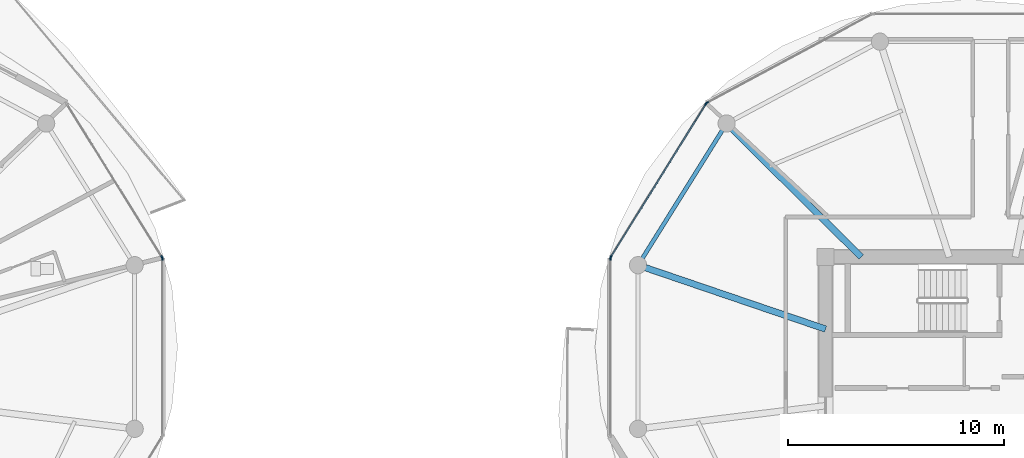
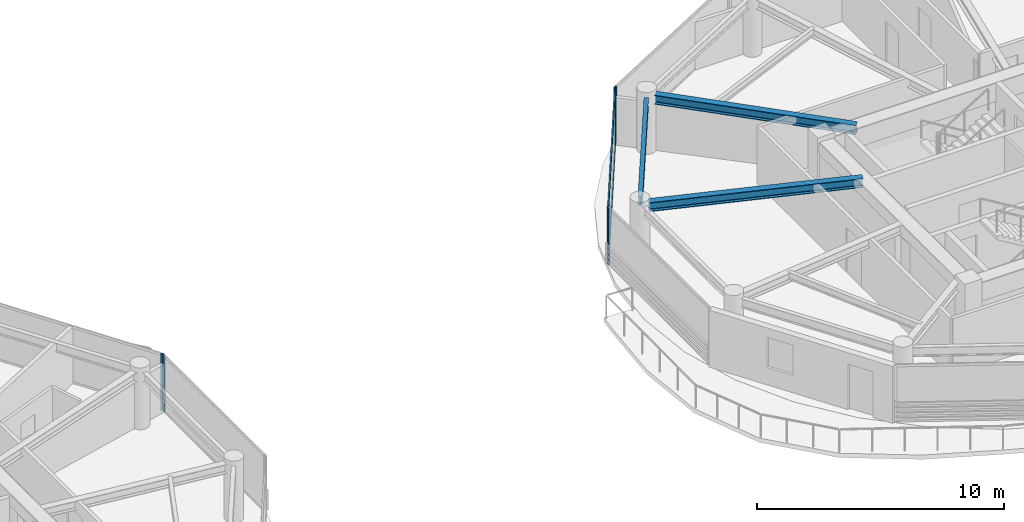
# One storey, part 7 of 21: 8 members, 3 beams, 5 elements without a shape of their own.
"""IFC4 building model written with IfcOpenShell, lengths in metres."""

from ifc_helpers import new_model, si_unit, direction, frame, origin, origin_2d, place, context, subcontext, project, spatial, rectangle, i_section, extrude, source, transform, mapped, material, layer, layer_set, material_profile, profile_set, type_object, type_shapes, element, aggregate, save


model = new_model("IFC4")

# Units and contexts
model_context = context("Model", 3, precision=1e-05, world=origin(), true_north=direction((0.0, 1.0)))
body_context = subcontext(model_context, "Body", "Model", "MODEL_VIEW")
ifc_project = project(units=[si_unit("LENGTHUNIT", "METRE"), si_unit("AREAUNIT", "SQUARE_METRE"), si_unit("VOLUMEUNIT", "CUBIC_METRE"), si_unit("PLANEANGLEUNIT", "RADIAN"), si_unit("MASSUNIT", "GRAM", prefix="KILO")], contexts=[model_context])

# Site, building, storey
site_placement = place(None, origin())
site = spatial("IfcSite", under=ifc_project, at=site_placement, CompositionType="ELEMENT")
building_placement = place(site_placement, origin())
building = spatial("IfcBuilding", under=site, at=building_placement, Name="Norrkilde Senior Care Towers", CompositionType="ELEMENT")
storey_placement = place(building_placement, frame((0.0, 0.0, 146.5)))
storey = spatial("IfcBuildingStorey", under=building, at=storey_placement, Name="L45", CompositionType="ELEMENT", Elevation=146.5)

# Beams
ifc_material_1 = material(Name="Steel S355", Category="steel")
ifc_material_profile_1 = material_profile(ifc_material_1, i_section(OverallWidth=0.18994140625, OverallDepth=0.449951171875, WebThickness=0.009521484375, FlangeThickness=0.0146484375, FilletRadius=0.02099609375, at=origin_2d()), Name="IPE 450")
ifc_profile_set_1 = profile_set([ifc_material_profile_1], Name="Steel S355")
beam_type_1 = type_object("IfcBeamType", Name="Perimeter Ring Spandrel Z3 IPE450", PredefinedType="SPANDREL", material=ifc_profile_set_1)
shared_shape_1 = source(origin(), body_context, "Body", "SweptSolid", [
    extrude(i_section(OverallWidth=0.18994140625, OverallDepth=0.449951171875, WebThickness=0.009521484375, FlangeThickness=0.0146484375, FilletRadius=0.02099609375, at=origin_2d()), origin(), (0.0, 0.0, 1.0), 7.0234375),
])
type_shapes(beam_type_1, [shared_shape_1])
beam_1_placement = place(storey_placement, frame((15.57666015625, 11.8291015625, 2.5849609375), z_axis=(-0.529789577822, -0.848129119433, 0.0), x_axis=(0.848129119433, -0.529789577822, 0.0)))
element("IfcBeam", 1, at=beam_1_placement, inside=storey, type_object=beam_type_1, Name="L45 Drum E Perimeter Spandrel 05", PredefinedType="SPANDREL", context=body_context, shape_type="MappedRepresentation", body=[
    mapped(shared_shape_1, transform((0.0, 0.0, 0.0), x_axis=(1.0, 0.0, 0.0), y_axis=(0.0, 1.0, 0.0), z_axis=(0.0, 0.0, 1.0), scale=1.0)),
])
ifc_material_profile_2 = material_profile(ifc_material_1, i_section(OverallWidth=0.300048828125, OverallDepth=0.449951171875, WebThickness=0.013916015625, FlangeThickness=0.02587890625, FilletRadius=0.027099609375, at=origin_2d()), Name="HEB 450")
ifc_profile_set_2 = profile_set([ifc_material_profile_2], Name="Steel S355")
beam_type_2 = type_object("IfcBeamType", Name="Radial Floor Beam Z3 HEB450", PredefinedType="BEAM", material=ifc_profile_set_2)
shared_shape_2 = source(origin(), body_context, "Body", "SweptSolid", [
    extrude(i_section(OverallWidth=0.300048828125, OverallDepth=0.449951171875, WebThickness=0.013916015625, FlangeThickness=0.02587890625, FilletRadius=0.027099609375, at=origin_2d()), origin(), (0.0, 0.0, 1.0), 8.8154296875),
])
beam_2_placement = place(storey_placement, frame((20.35009765625, 2.607177734375, 2.5849609375), z_axis=(-0.946540556878, 0.322584832539, 0.0), x_axis=(-0.322584832539, -0.946540556878, 0.0)))
element("IfcBeam", 2, at=beam_2_placement, inside=storey, type_object=beam_type_2, Name="L45 Drum E Radial Floor Beam 06", PredefinedType="BEAM", context=body_context, shape_type="MappedRepresentation", body=[
    mapped(shared_shape_2, transform((0.0, 0.0, 0.0), x_axis=(1.0, 0.0, 0.0), y_axis=(0.0, 1.0, 0.0), z_axis=(0.0, 0.0, 1.0), scale=1.0)),
])
shared_shape_3 = source(origin(), body_context, "Body", "SweptSolid", [
    extrude(i_section(OverallWidth=0.300048828125, OverallDepth=0.449951171875, WebThickness=0.013916015625, FlangeThickness=0.02587890625, FilletRadius=0.027099609375, at=origin_2d()), origin(), (0.0, 0.0, 1.0), 8.421630859375),
])
type_shapes(beam_type_2, [shared_shape_2, shared_shape_3])
beam_3_placement = place(storey_placement, frame((22.001953125, 5.949951171875, 2.5849609375), z_axis=(-0.709956495972, 0.704245535184, 0.0), x_axis=(-0.704245535184, -0.709956495972, 0.0)))
element("IfcBeam", 3, at=beam_3_placement, inside=storey, type_object=beam_type_2, Name="L45 Drum E Radial Floor Beam 05", PredefinedType="BEAM", context=body_context, shape_type="MappedRepresentation", body=[
    mapped(shared_shape_3, transform((0.0, 0.0, 0.0), x_axis=(1.0, 0.0, 0.0), y_axis=(0.0, 1.0, 0.0), z_axis=(0.0, 0.0, 1.0), scale=1.0)),
])

# Curtain wall, member
ifc_material_2 = material(Name="Triple Low-E Insulated Glazing", Category="glass")
ifc_layer = layer(ifc_material_2, 0.18994140625)
ifc_layer_set = layer_set([ifc_layer], Name="Triple Low-E Insulated Glazing")
curtain_wall_type = type_object("IfcCurtainWallType", Name="CW4 Zone 3 Senior Residence Curtain Wall", PredefinedType="NOTDEFINED", material=ifc_layer_set)
curtain_wall_1_placement = place(storey_placement, origin())
curtain_wall_1 = element("IfcCurtainWall", 4, at=curtain_wall_1_placement, inside=storey, type_object=curtain_wall_type, Name="L45 Drum W Curtain Wall 00", PredefinedType="NOTDEFINED")
ifc_material_3 = material(Name="Anodised Aluminium", Category="aluminium")
ifc_material_profile_3 = material_profile(ifc_material_3, rectangle(XDim=0.06494140625, YDim=0.14990234375, at=origin_2d()), Name="ALU MULL 65x150")
ifc_profile_set_3 = profile_set([ifc_material_profile_3], Name="Anodised Aluminium")
member_type_1 = type_object("IfcMemberType", Name="Curtain Wall Mullion Z3-Z4 65x150", PredefinedType="MULLION", material=ifc_profile_set_3)
shared_shape_4 = source(origin(), body_context, "Body", "SweptSolid", [
    extrude(rectangle(XDim=0.06494140625, YDim=0.14990234375, at=origin_2d()), origin(), (0.0, 0.0, 1.0), 2.81005859375),
])
type_shapes(member_type_1, [shared_shape_4])
member_1_placement = place(storey_placement, frame((-10.3974609375, 5.93896484375, 0.0), z_axis=(0.0, 0.0, 1.0), x_axis=(0.84963405474, 0.52737270789, 0.0)))
member_1 = element("IfcMember", 5, at=member_1_placement, type_object=member_type_1, Name="CW-4 mullion 2", PredefinedType="MULLION", context=body_context, shape_type="MappedRepresentation", body=[
    mapped(shared_shape_4, transform((0.0, 0.0, 0.0), x_axis=(1.0, 0.0, 0.0), y_axis=(0.0, 1.0, 0.0), z_axis=(0.0, 0.0, 1.0), scale=1.0)),
])
aggregate(curtain_wall_1, [member_1])

curtain_wall_2_placement = place(storey_placement, origin())
curtain_wall_2 = element("IfcCurtainWall", 6, at=curtain_wall_2_placement, inside=storey, type_object=curtain_wall_type, Name="L45 Drum W Curtain Wall 11", PredefinedType="NOTDEFINED")
member_2_placement = place(storey_placement, frame((-10.38037109375, 5.878662109375, 0.0), z_axis=(0.0, 0.0, 1.0), x_axis=(1.0, 0.0, 0.0)))
member_2 = element("IfcMember", 7, at=member_2_placement, type_object=member_type_1, Name="CW-4 mullion 1", PredefinedType="MULLION", context=body_context, shape_type="MappedRepresentation", body=[
    mapped(shared_shape_4, transform((0.0, 0.0, 0.0), x_axis=(1.0, 0.0, 0.0), y_axis=(0.0, 1.0, 0.0), z_axis=(0.0, 0.0, 1.0), scale=1.0)),
])
aggregate(curtain_wall_2, [member_2])

curtain_wall_3_placement = place(storey_placement, origin())
curtain_wall_3 = element("IfcCurtainWall", 8, at=curtain_wall_3_placement, inside=storey, type_object=curtain_wall_type, Name="L45 Drum E Curtain Wall 03", PredefinedType="NOTDEFINED")
member_3_placement = place(storey_placement, frame((14.85546875, 13.09033203125, 0.0), z_axis=(0.0, 0.0, 1.0), x_axis=(-0.47311715104, 0.880999524059, 0.0)))
member_3 = element("IfcMember", 9, at=member_3_placement, type_object=member_type_1, Name="CW-4 mullion 1", PredefinedType="MULLION", context=body_context, shape_type="MappedRepresentation", body=[
    mapped(shared_shape_4, transform((0.0, 0.0, 0.0), x_axis=(1.0, 0.0, 0.0), y_axis=(0.0, 1.0, 0.0), z_axis=(0.0, 0.0, 1.0), scale=1.0)),
])
aggregate(curtain_wall_3, [member_3])

# Curtain wall, members
curtain_wall_4_placement = place(storey_placement, origin())
curtain_wall_4 = element("IfcCurtainWall", 10, at=curtain_wall_4_placement, inside=storey, type_object=curtain_wall_type, Name="L45 Drum E Curtain Wall 04", PredefinedType="NOTDEFINED")
member_4_placement = place(storey_placement, frame((10.3974609375, 5.93896484375, 0.0), z_axis=(0.0, 0.0, 1.0), x_axis=(-0.84963405474, 0.52737270789, 0.0)))
member_4 = element("IfcMember", 11, at=member_4_placement, type_object=member_type_1, Name="CW-4 mullion 1", PredefinedType="MULLION", context=body_context, shape_type="MappedRepresentation", body=[
    mapped(shared_shape_4, transform((0.0, 0.0, 0.0), x_axis=(1.0, 0.0, 0.0), y_axis=(0.0, 1.0, 0.0), z_axis=(0.0, 0.0, 1.0), scale=1.0)),
])
member_5_placement = place(storey_placement, frame((14.809814453125, 13.04736328125, 0.0), z_axis=(0.0, 0.0, 1.0), x_axis=(-0.84963405474, 0.52737270789, 0.0)))
member_5 = element("IfcMember", 12, at=member_5_placement, type_object=member_type_1, Name="CW-4 mullion 2", PredefinedType="MULLION", context=body_context, shape_type="MappedRepresentation", body=[
    mapped(shared_shape_4, transform((0.0, 0.0, 0.0), x_axis=(1.0, 0.0, 0.0), y_axis=(0.0, 1.0, 0.0), z_axis=(0.0, 0.0, 1.0), scale=1.0)),
])

# Curtain wall, member
curtain_wall_5_placement = place(storey_placement, origin())
curtain_wall_5 = element("IfcCurtainWall", 13, at=curtain_wall_5_placement, inside=storey, type_object=curtain_wall_type, Name="L45 Drum E Curtain Wall 05", PredefinedType="NOTDEFINED")
member_6_placement = place(storey_placement, frame((10.38037109375, 5.878662109375, 0.0), z_axis=(0.0, 0.0, 1.0), x_axis=(-1.0, 0.0, 0.0)))
member_6 = element("IfcMember", 14, at=member_6_placement, type_object=member_type_1, Name="CW-4 mullion 2", PredefinedType="MULLION", context=body_context, shape_type="MappedRepresentation", body=[
    mapped(shared_shape_4, transform((0.0, 0.0, 0.0), x_axis=(1.0, 0.0, 0.0), y_axis=(0.0, 1.0, 0.0), z_axis=(0.0, 0.0, 1.0), scale=1.0)),
])
aggregate(curtain_wall_5, [member_6])

# Member
ifc_material_profile_4 = material_profile(ifc_material_3, rectangle(XDim=0.06005859375, YDim=0.1201171875, at=origin_2d()), Name="ALU TRAN 60x120")
ifc_profile_set_4 = profile_set([ifc_material_profile_4], Name="Anodised Aluminium")
member_type_2 = type_object("IfcMemberType", Name="Curtain Wall Transom Typical 60x120", PredefinedType="USERDEFINED", material=ifc_profile_set_4)
shared_shape_5 = source(origin(), body_context, "Body", "SweptSolid", [
    extrude(rectangle(XDim=0.06005859375, YDim=0.1201171875, at=origin_2d()), origin(), (0.0, 0.0, 1.0), 8.301513671875),
])
type_shapes(member_type_2, [shared_shape_5])
member_7_placement = place(storey_placement, frame((10.414794921875, 5.966552734375, 0.030029296875), z_axis=(0.527368718394, 0.849636531029, 0.0), x_axis=(-0.849636531029, 0.527368718394, 0.0)))
member_7 = element("IfcMember", 15, at=member_7_placement, type_object=member_type_2, Name="CW-4 transom 1.1", ObjectType="TRANSOM", PredefinedType="USERDEFINED", context=body_context, shape_type="MappedRepresentation", body=[
    mapped(shared_shape_5, transform((0.0, 0.0, 0.0), x_axis=(1.0, 0.0, 0.0), y_axis=(0.0, 1.0, 0.0), z_axis=(0.0, 0.0, 1.0), scale=1.0)),
])

member_8_placement = place(storey_placement, frame((10.414794921875, 5.966552734375, 2.780029296875), z_axis=(0.527368718394, 0.849636531029, 0.0), x_axis=(-0.849636531029, 0.527368718394, 0.0)))
member_8 = element("IfcMember", 16, at=member_8_placement, type_object=member_type_2, Name="CW-4 transom 1.2", ObjectType="TRANSOM", PredefinedType="USERDEFINED", context=body_context, shape_type="MappedRepresentation", body=[
    mapped(shared_shape_5, transform((0.0, 0.0, 0.0), x_axis=(1.0, 0.0, 0.0), y_axis=(0.0, 1.0, 0.0), z_axis=(0.0, 0.0, 1.0), scale=1.0)),
])

aggregate(curtain_wall_4, [member_4, member_5, member_7, member_8])

save(model, "model.ifc")
